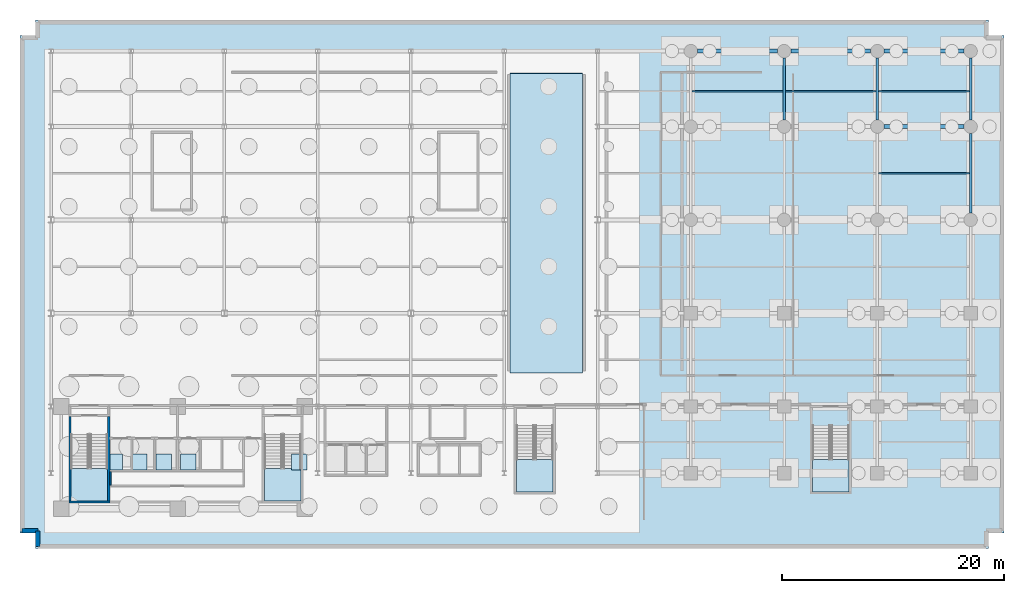
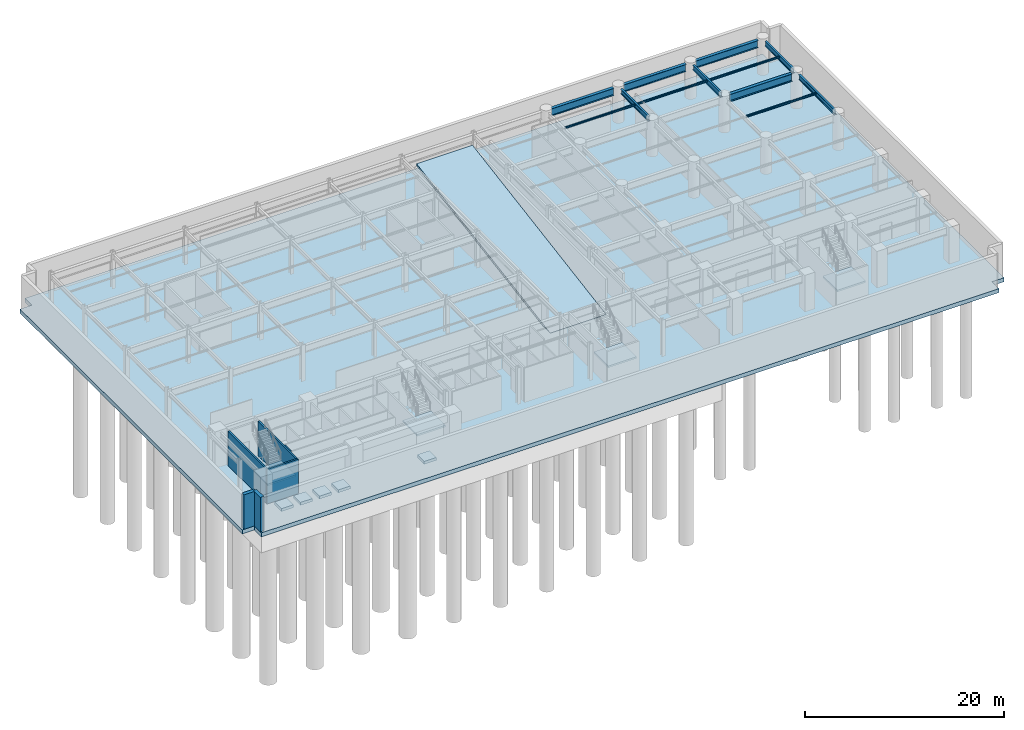
# One storey, part 7 of 14: 12 beams, 11 slabs, 6 walls, 4 elements without a shape of their own.
"""IFC4 building model written with IfcOpenShell, lengths in metres."""

from ifc_helpers import new_model, si_unit, direction, frame, frame_2d, origin, origin_2d, place, context, subcontext, project, spatial, polyline, rectangle, i_section, outline, extrude, material, layer, layer_set, material_profile, profile_set, type_object, element, aggregate, save


model = new_model("IFC4")

# Units and contexts
model_context = context("Model", 3, precision=1e-05, world=origin(), true_north=direction((0.0, 1.0)))
body_context = subcontext(model_context, "Body", "Model", "MODEL_VIEW")
ifc_project = project(units=[si_unit("LENGTHUNIT", "METRE"), si_unit("AREAUNIT", "SQUARE_METRE"), si_unit("VOLUMEUNIT", "CUBIC_METRE"), si_unit("PLANEANGLEUNIT", "RADIAN"), si_unit("MASSUNIT", "GRAM", prefix="KILO")], contexts=[model_context])

# Site, building, storey
site_placement = place(None, origin())
site = spatial("IfcSite", under=ifc_project, at=site_placement, CompositionType="ELEMENT")
building_placement = place(site_placement, origin())
building = spatial("IfcBuilding", under=site, at=building_placement, Name="Varnakote Quay Hospital", CompositionType="ELEMENT")
storey_placement = place(building_placement, frame((0.0, 0.0, -9.0)))
storey = spatial("IfcBuildingStorey", under=building, at=storey_placement, Name="B02", CompositionType="ELEMENT", Elevation=-9.0)

# Beams
ifc_material_1 = material(Name="Structural steel AS/NZS 3679.1 Grade 350 L0 (fy 340 MPa)", Category="steel")
ifc_material_profile_1 = material_profile(ifc_material_1, i_section(OverallWidth=0.22802734375, OverallDepth=0.60205078125, WebThickness=0.010498046875, FlangeThickness=0.014892578125, FilletRadius=0.013916015625, at=origin_2d()), Name="610UB101")
ifc_profile_set_1 = profile_set([ifc_material_profile_1], Name="Structural steel AS/NZS 3679.1 Grade 350 L0 (fy 340 MPa)")
beam_type_1 = type_object("IfcBeamType", Name="BM-STL-610UB101", PredefinedType="BEAM", material=ifc_profile_set_1)
for number, where, z_axis, x_axis, name in (
    (1, (67.199951171875, 37.800048828125, 3.93896484375), (0.0, 1.0, 0.0), (-1.0, 0.0, 0.0), "B02 Primary Tie Beam"),
    (2, (75.60009765625, 37.800048828125, 3.93896484375), (0.0, 1.0, 0.0), (-1.0, 0.0, 0.0), "B02 Primary Tie Beam"),
):
    element("IfcBeam", number, at=place(storey_placement, frame(where, z_axis=z_axis, x_axis=x_axis)), inside=storey, type_object=beam_type_1, Name=name, PredefinedType="BEAM", context=body_context, shape_type="SweptSolid", body=[
        extrude(i_section(OverallWidth=0.22802734375, OverallDepth=0.60205078125, WebThickness=0.010498046875, FlangeThickness=0.014892578125, FilletRadius=0.013916015625, at=origin_2d()), origin(), (0.0, 0.0, 1.0), 5.599853515625),
    ])
beam_1_placement = place(storey_placement, frame((84.0, 29.39990234375, 3.93896484375), z_axis=(0.0, 1.0, 0.0), x_axis=(-1.0, 0.0, 0.0)))
element("IfcBeam", 3, at=beam_1_placement, inside=storey, type_object=beam_type_1, Name="B02 Primary Tie Beam", PredefinedType="BEAM", context=body_context, shape_type="SweptSolid", body=[
    extrude(i_section(OverallWidth=0.22802734375, OverallDepth=0.60205078125, WebThickness=0.010498046875, FlangeThickness=0.014892578125, FilletRadius=0.013916015625, at=origin_2d()), origin(), (0.0, 0.0, 1.0), 7.2001953125),
])
beam_2_placement = place(storey_placement, frame((84.0, 37.800048828125, 3.93896484375), z_axis=(0.0, 1.0, 0.0), x_axis=(-1.0, 0.0, 0.0)))
element("IfcBeam", 4, at=beam_2_placement, inside=storey, type_object=beam_type_1, Name="B02 Primary Tie Beam", PredefinedType="BEAM", context=body_context, shape_type="SweptSolid", body=[
    extrude(i_section(OverallWidth=0.22802734375, OverallDepth=0.60205078125, WebThickness=0.010498046875, FlangeThickness=0.014892578125, FilletRadius=0.013916015625, at=origin_2d()), origin(), (0.0, 0.0, 1.0), 5.599853515625),
])
ifc_material_2 = material(Name="Structural steel AS/NZS 3678 Grade 350 (fy 340 MPa)", Category="steel")
ifc_material_profile_2 = material_profile(ifc_material_2, i_section(OverallWidth=0.35009765625, OverallDepth=0.909912109375, WebThickness=0.011962890625, FlangeThickness=0.02490234375, at=origin_2d()), Name="900WB218")
ifc_profile_set_2 = profile_set([ifc_material_profile_2], Name="Structural steel AS/NZS 3678 Grade 350 (fy 340 MPa)")
beam_type_2 = type_object("IfcBeamType", Name="BM-STL-900WB218", PredefinedType="BEAM", material=ifc_profile_set_2)
beam_3_placement = place(storey_placement, frame((76.199951171875, 37.199951171875, 3.784912109375), z_axis=(1.0, 0.0, 0.0), x_axis=(0.0, 1.0, 0.0)))
element("IfcBeam", 5, at=beam_3_placement, inside=storey, type_object=beam_type_2, Name="B02 Primary Floor Beam", PredefinedType="BEAM", context=body_context, shape_type="SweptSolid", body=[
    extrude(i_section(OverallWidth=0.35009765625, OverallDepth=0.909912109375, WebThickness=0.011962890625, FlangeThickness=0.02490234375, at=origin_2d()), origin(), (0.0, 0.0, 1.0), 7.199951171875),
])
beam_4_placement = place(storey_placement, frame((59.39990234375, 44.0, 3.784912109375), z_axis=(1.0, 0.0, 0.0), x_axis=(0.0, 1.0, 0.0)))
element("IfcBeam", 6, at=beam_4_placement, inside=storey, type_object=beam_type_2, Name="B02 Primary Floor Beam", PredefinedType="BEAM", context=body_context, shape_type="SweptSolid", body=[
    extrude(i_section(OverallWidth=0.35009765625, OverallDepth=0.909912109375, WebThickness=0.011962890625, FlangeThickness=0.02490234375, at=origin_2d()), origin(), (0.0, 0.0, 1.0), 7.2001953125),
])
for number, where, z_axis, x_axis, name in (
    (7, (67.800048828125, 44.0, 3.784912109375), (1.0, 0.0, 0.0), (0.0, 1.0, 0.0), "B02 Primary Floor Beam"),
    (8, (76.199951171875, 44.0, 3.784912109375), (1.0, 0.0, 0.0), (0.0, 1.0, 0.0), "B02 Primary Floor Beam"),
):
    element("IfcBeam", number, at=place(storey_placement, frame(where, z_axis=z_axis, x_axis=x_axis)), inside=storey, type_object=beam_type_2, Name=name, PredefinedType="BEAM", context=body_context, shape_type="SweptSolid", body=[
        extrude(i_section(OverallWidth=0.35009765625, OverallDepth=0.909912109375, WebThickness=0.011962890625, FlangeThickness=0.02490234375, at=origin_2d()), origin(), (0.0, 0.0, 1.0), 7.199951171875),
    ])
ifc_material_3 = material(Name="Structural steel AS/NZS 3679.1 Grade 350 L0 (fy 340 MPa)", Category="steel")
ifc_material_profile_3 = material_profile(ifc_material_3, i_section(OverallWidth=0.134033203125, OverallDepth=0.20703125, WebThickness=0.00634765625, FlangeThickness=0.009521484375, FilletRadius=0.0087890625, at=origin_2d()), Name="200UB29.8")
ifc_profile_set_3 = profile_set([ifc_material_profile_3], Name="Structural steel AS/NZS 3679.1 Grade 350 L0 (fy 340 MPa)")
beam_type_3 = type_object("IfcBeamType", Name="JST-STL-200UB29-8", PredefinedType="JOIST", material=ifc_profile_set_3)
for number, where, z_axis, x_axis, name in (
    (9, (75.714111328125, 33.0, 4.136474609375), (1.0, 0.0, 0.0), (0.0, 1.0, 0.0), "B02 Composite Floor Joist"),
    (10, (58.9140625, 40.39990234375, 4.136474609375), (1.0, 0.0, 0.0), (0.0, 1.0, 0.0), "B02 Composite Floor Joist"),
):
    element("IfcBeam", number, at=place(storey_placement, frame(where, z_axis=z_axis, x_axis=x_axis)), inside=storey, type_object=beam_type_3, Name=name, PredefinedType="JOIST", context=body_context, shape_type="SweptSolid", body=[
        extrude(i_section(OverallWidth=0.134033203125, OverallDepth=0.20703125, WebThickness=0.00634765625, FlangeThickness=0.009521484375, FilletRadius=0.0087890625, at=origin_2d()), origin(), (0.0, 0.0, 1.0), 8.171875),
    ])
beam_5_placement = place(storey_placement, frame((67.31396484375, 40.39990234375, 4.136474609375), z_axis=(1.0, 0.0, 0.0), x_axis=(0.0, 1.0, 0.0)))
element("IfcBeam", 11, at=beam_5_placement, inside=storey, type_object=beam_type_3, Name="B02 Composite Floor Joist", PredefinedType="JOIST", context=body_context, shape_type="SweptSolid", body=[
    extrude(i_section(OverallWidth=0.134033203125, OverallDepth=0.20703125, WebThickness=0.00634765625, FlangeThickness=0.009521484375, FilletRadius=0.0087890625, at=origin_2d()), origin(), (0.0, 0.0, 1.0), 8.172119140625),
])
beam_6_placement = place(storey_placement, frame((75.714111328125, 40.39990234375, 4.136474609375), z_axis=(1.0, 0.0, 0.0), x_axis=(0.0, 1.0, 0.0)))
element("IfcBeam", 12, at=beam_6_placement, inside=storey, type_object=beam_type_3, Name="B02 Composite Floor Joist", PredefinedType="JOIST", context=body_context, shape_type="SweptSolid", body=[
    extrude(i_section(OverallWidth=0.134033203125, OverallDepth=0.20703125, WebThickness=0.00634765625, FlangeThickness=0.009521484375, FilletRadius=0.0087890625, at=origin_2d()), origin(), (0.0, 0.0, 1.0), 8.171875),
])

# Slabs
ifc_material_4 = material(Name="Concrete N50 (f'c 50 MPa)", Category="concrete")
ifc_layer_1 = layer(ifc_material_4, 0.5)
ifc_layer_set_1 = layer_set([ifc_layer_1], Name="Concrete N50 (f'c 50 MPa)")
slab_type_1 = type_object("IfcSlabType", Name="SLB-BASE-500", PredefinedType="BASESLAB", material=ifc_layer_set_1)
slab_1_placement = place(storey_placement, frame((0.0, 0.0, -0.5)))
element("IfcSlab", 13, at=slab_1_placement, inside=storey, type_object=slab_type_1, Name="B02 Primary Base Slab", PredefinedType="BASESLAB", context=body_context, shape_type="SweptSolid", body=[
    extrude(outline(polyline([(-1.60009765625, 0.60009765625), (-0.199951171875, 0.60009765625), (-0.199951171875, -0.800048828125), (85.60009765625, -0.800048828125), (85.60009765625, 0.60009765625), (87.0, 0.60009765625), (87.0, 45.39990234375), (85.60009765625, 45.39990234375), (85.60009765625, 46.800048828125), (-0.199951171875, 46.800048828125), (-0.199951171875, 45.39990234375), (-1.60009765625, 45.39990234375), (-1.60009765625, 0.60009765625)])), origin(), (0.0, 0.0, 1.0), 0.5),
])
ifc_material_5 = material(Name="Concrete N40 (f'c 40 MPa)", Category="concrete")
ifc_layer_2 = layer(ifc_material_5, 0.260009765625)
ifc_layer_set_2 = layer_set([ifc_layer_2], Name="Concrete N40 (f'c 40 MPa)")
slab_type_2 = type_object("IfcSlabType", Name="SLB-RAMP-N40-260", PredefinedType="FLOOR", material=ifc_layer_set_2)
slab_2_placement = place(storey_placement, frame((42.5400390625, 15.030029296875, 0.0), z_axis=(0.0, -0.164755552665, 0.986334430032), x_axis=(1.0, 0.0, 0.0)))
element("IfcSlab", 14, at=slab_2_placement, inside=storey, type_object=slab_type_2, Name="Car Park Vehicle Ramp R1 Structural Slab", PredefinedType="FLOOR", context=body_context, shape_type="SweptSolid", body=[
    extrude(outline(polyline([(0.0, 0.0), (6.52001953125, 0.0), (6.52001953125, 27.313191739014748), (0.0, 27.313191739014748), (0.0, 0.0)])), origin(), (0.0, 0.0, -1.0), 0.260009765625),
])

# Stair, slab
ifc_material_6 = material(Name="Concrete N40 (f'c 40 MPa)", Category="concrete")
stair_type = type_object("IfcStairType", Name="STR-CORE-1580", PredefinedType="HALF_TURN_STAIR", material=ifc_material_6)
stair_1_placement = place(storey_placement, origin())
stair_1 = element("IfcStair", 15, at=stair_1_placement, inside=storey, type_object=stair_type, Name="B02 Fire-Isolated Exit Stair ST-01", PredefinedType="HALF_TURN_STAIR")
ifc_material_7 = material(Name="Concrete N40 (f'c 40 MPa)", Category="concrete")
ifc_layer_3 = layer(ifc_material_7, 0.199951171875)
ifc_layer_set_3 = layer_set([ifc_layer_3], Name="Concrete N40 (f'c 40 MPa)")
slab_type_3 = type_object("IfcSlabType", Name="SLB-STAIR-LND-200", PredefinedType="LANDING", material=ifc_layer_set_3)
slab_3_placement = place(storey_placement, frame((0.0, 0.0, 2.050048828125)))
slab_3 = element("IfcSlab", 16, at=slab_3_placement, type_object=slab_type_3, Name="ST-01 landing 1", PredefinedType="LANDING", context=body_context, shape_type="SweptSolid", body=[
    extrude(outline(polyline([(3.0, 6.419921875), (3.0, 3.5), (6.300048828125, 3.5), (6.300048828125, 6.419921875), (3.0, 6.419921875)])), origin(), (0.0, 0.0, 1.0), 0.199951171875),
])
aggregate(stair_1, [slab_3])

stair_2_placement = place(storey_placement, origin())
stair_2 = element("IfcStair", 17, at=stair_2_placement, inside=storey, type_object=stair_type, Name="B02 Fire-Isolated Exit Stair ST-02", PredefinedType="HALF_TURN_STAIR")
slab_4_placement = place(storey_placement, frame((0.0, 0.0, 2.050048828125)))
slab_4 = element("IfcSlab", 18, at=slab_4_placement, type_object=slab_type_3, Name="ST-02 landing 1", PredefinedType="LANDING", context=body_context, shape_type="SweptSolid", body=[
    extrude(outline(polyline([(20.39990234375, 6.419921875), (20.39990234375, 3.5), (23.699951171875, 3.5), (23.699951171875, 6.419921875), (20.39990234375, 6.419921875)])), origin(), (0.0, 0.0, 1.0), 0.199951171875),
])
aggregate(stair_2, [slab_4])

stair_3_placement = place(storey_placement, origin())
stair_3 = element("IfcStair", 19, at=stair_3_placement, inside=storey, type_object=stair_type, Name="B02 Fire-Isolated Exit Stair ST-03", PredefinedType="HALF_TURN_STAIR")
slab_5_placement = place(storey_placement, frame((0.0, 0.0, 2.050048828125)))
slab_5 = element("IfcSlab", 20, at=slab_5_placement, type_object=slab_type_3, Name="ST-03 landing 1", PredefinedType="LANDING", context=body_context, shape_type="SweptSolid", body=[
    extrude(outline(polyline([(43.10009765625, 7.219970703125), (43.10009765625, 4.300048828125), (46.39990234375, 4.300048828125), (46.39990234375, 7.219970703125), (43.10009765625, 7.219970703125)])), origin(), (0.0, 0.0, 1.0), 0.199951171875),
])
aggregate(stair_3, [slab_5])

stair_4_placement = place(storey_placement, origin())
stair_4 = element("IfcStair", 21, at=stair_4_placement, inside=storey, type_object=stair_type, Name="B02 East Podium Fire-Isolated Exit Stair ST-06", PredefinedType="HALF_TURN_STAIR")
slab_6_placement = place(storey_placement, frame((0.0, 0.0, 2.050048828125)))
slab_6 = element("IfcSlab", 22, at=slab_6_placement, type_object=slab_type_3, Name="ST-06 landing 1", PredefinedType="LANDING", context=body_context, shape_type="SweptSolid", body=[
    extrude(outline(polyline([(69.75, 7.219970703125), (69.75, 4.300048828125), (73.050048828125, 4.300048828125), (73.050048828125, 7.219970703125), (69.75, 7.219970703125)])), origin(), (0.0, 0.0, 1.0), 0.199951171875),
])
aggregate(stair_4, [slab_6])

# Slabs
ifc_material_8 = material(Name="Concrete N50 (f'c 50 MPa)", Category="concrete")
ifc_layer_4 = layer(ifc_material_8, 0.35009765625)
ifc_layer_set_4 = layer_set([ifc_layer_4], Name="Concrete N50 (f'c 50 MPa)")
slab_type_4 = type_object("IfcSlabType", Name="SLB-SUMP-350", PredefinedType="BASESLAB", material=ifc_layer_set_4)
slab_7_placement = place(storey_placement, frame((0.0, 0.0, -3.949951171875)))
element("IfcSlab", 23, at=slab_7_placement, inside=storey, type_object=slab_type_4, Name="Lift Pit Base Slab Sump SMP-01", PredefinedType="BASESLAB", context=body_context, shape_type="SweptSolid", body=[
    extrude(outline(polyline([(6.25, 6.300048828125), (7.64990234375, 6.300048828125), (7.64990234375, 7.699951171875), (6.25, 7.699951171875), (6.25, 6.300048828125)])), origin(), (0.0, 0.0, 1.0), 0.349853515625),
])
slab_8_placement = place(storey_placement, frame((0.0, 0.0, -3.949951171875)))
element("IfcSlab", 24, at=slab_8_placement, inside=storey, type_object=slab_type_4, Name="Lift Pit Base Slab Sump SMP-02", PredefinedType="BASESLAB", context=body_context, shape_type="SweptSolid", body=[
    extrude(outline(polyline([(8.449951171875, 6.300048828125), (9.85009765625, 6.300048828125), (9.85009765625, 7.699951171875), (8.449951171875, 7.699951171875), (8.449951171875, 6.300048828125)])), origin(), (0.0, 0.0, 1.0), 0.349853515625),
])
slab_9_placement = place(storey_placement, frame((0.0, 0.0, -3.949951171875)))
element("IfcSlab", 25, at=slab_9_placement, inside=storey, type_object=slab_type_4, Name="Lift Pit Base Slab Sump SMP-03", PredefinedType="BASESLAB", context=body_context, shape_type="SweptSolid", body=[
    extrude(outline(polyline([(10.64990234375, 6.300048828125), (12.050048828125, 6.300048828125), (12.050048828125, 7.699951171875), (10.64990234375, 7.699951171875), (10.64990234375, 6.300048828125)])), origin(), (0.0, 0.0, 1.0), 0.349853515625),
])
slab_10_placement = place(storey_placement, frame((0.0, 0.0, -3.949951171875)))
element("IfcSlab", 26, at=slab_10_placement, inside=storey, type_object=slab_type_4, Name="Lift Pit Base Slab Sump SMP-04", PredefinedType="BASESLAB", context=body_context, shape_type="SweptSolid", body=[
    extrude(outline(polyline([(12.85009765625, 6.300048828125), (14.25, 6.300048828125), (14.25, 7.699951171875), (12.85009765625, 7.699951171875), (12.85009765625, 6.300048828125)])), origin(), (0.0, 0.0, 1.0), 0.349853515625),
])
slab_11_placement = place(storey_placement, frame((0.0, 0.0, -3.949951171875)))
element("IfcSlab", 27, at=slab_11_placement, inside=storey, type_object=slab_type_4, Name="Lift Pit Base Slab Sump SMP-05", PredefinedType="BASESLAB", context=body_context, shape_type="SweptSolid", body=[
    extrude(outline(polyline([(22.85009765625, 6.300048828125), (24.25, 6.300048828125), (24.25, 7.699951171875), (22.85009765625, 7.699951171875), (22.85009765625, 6.300048828125)])), origin(), (0.0, 0.0, 1.0), 0.349853515625),
])

# Walls
ifc_material_9 = material(Name="Concrete N40 (f'c 40 MPa)", Category="concrete")
ifc_layer_5 = layer(ifc_material_9, 0.39990234375)
ifc_layer_set_5 = layer_set([ifc_layer_5], Name="Concrete N40 (f'c 40 MPa)")
wall_type_1 = type_object("IfcWallType", Name="WL-BSMT-RET-400", PredefinedType="STANDARD", material=ifc_layer_set_5)
wall_1_placement = place(storey_placement, frame((0.0, 0.800048828125, 0.0), z_axis=(0.0, 0.0, 1.0), x_axis=(0.0, -1.0, 0.0)))
element("IfcWall", 28, at=wall_1_placement, inside=storey, type_object=wall_type_1, Name="B02 Tanked Basement Retaining Wall", PredefinedType="STANDARD", context=body_context, shape_type="SweptSolid", body=[
    extrude(rectangle(XDim=1.400146484375, YDim=0.39990234375, at=frame_2d((0.7001953125, 0.0))), origin(), (0.0, 0.0, 1.0), 4.239990234375),
])
wall_2_placement = place(storey_placement, frame((-1.39990234375, 0.800048828125, 0.0), z_axis=(0.0, 0.0, 1.0), x_axis=(1.0, 0.0, 0.0)))
element("IfcWall", 29, at=wall_2_placement, inside=storey, type_object=wall_type_1, Name="B02 Tanked Basement Retaining Wall", PredefinedType="STANDARD", context=body_context, shape_type="SweptSolid", body=[
    extrude(rectangle(XDim=1.39990234375, YDim=0.39990234375, at=frame_2d((0.699951171875, 0.0))), origin(), (0.0, 0.0, 1.0), 4.239990234375),
])
ifc_material_10 = material(Name="Concrete N50 (f'c 50 MPa)", Category="concrete")
ifc_layer_6 = layer(ifc_material_10, 0.199951171875)
ifc_layer_set_6 = layer_set([ifc_layer_6], Name="Concrete N50 (f'c 50 MPa)")
wall_type_2 = type_object("IfcWallType", Name="WL-SHAFT-N50-200", PredefinedType="SHEAR", material=ifc_layer_set_6)
wall_3_placement = place(storey_placement, frame((2.800048828125, 3.39990234375, 0.0), z_axis=(0.0, 0.0, 1.0), x_axis=(1.0, 0.0, 0.0)))
element("IfcWall", 30, at=wall_3_placement, inside=storey, type_object=wall_type_2, Name="B02 Stair ST1 South Shaft Wall", PredefinedType="SHEAR", context=body_context, shape_type="SweptSolid", body=[
    extrude(rectangle(XDim=3.699951171875, YDim=0.199951171875, at=frame_2d((1.85009765625, 0.0))), origin(), (0.0, 0.0, 1.0), 4.239990234375),
])
for number, where, z_axis, x_axis, name in (
    (31, (2.89990234375, 3.5, 0.0), (0.0, 0.0, 1.0), (0.0, 1.0, 0.0), "B02 Stair ST1 West Shaft Wall"),
    (32, (6.39990234375, 3.5, 0.0), (0.0, 0.0, 1.0), (0.0, 1.0, 0.0), "B02 Stair ST1 East Shaft Wall"),
):
    element("IfcWall", number, at=place(storey_placement, frame(where, z_axis=z_axis, x_axis=x_axis)), inside=storey, type_object=wall_type_2, Name=name, PredefinedType="SHEAR", context=body_context, shape_type="SweptSolid", body=[
        extrude(rectangle(XDim=7.60009765625, YDim=0.199951171875, at=frame_2d((3.800048828125, 0.0))), origin(), (0.0, 0.0, 1.0), 4.239990234375),
    ])
ifc_material_11 = material(Name="Smoke-proof clinical partition", Category="gypsum")
ifc_layer_7 = layer(ifc_material_11, 0.1201171875)
ifc_layer_set_7 = layer_set([ifc_layer_7], Name="Smoke-proof clinical partition")
wall_type_3 = type_object("IfcWallType", Name="WL-SMOKE-120", PredefinedType="PARTITIONING", material=ifc_layer_set_7)
wall_4_placement = place(storey_placement, frame((6.56005859375, 4.919921875, 0.0), z_axis=(0.0, 0.0, 1.0), x_axis=(0.0, 1.0, 0.0)))
element("IfcWall", 33, at=wall_4_placement, inside=storey, type_object=wall_type_3, Name="B02 Core Service Strip West Wall", PredefinedType="PARTITIONING", context=body_context, shape_type="SweptSolid", body=[
    extrude(rectangle(XDim=1.219970703125, YDim=0.1201171875, at=frame_2d((0.60986328125, 0.0))), origin(), (0.0, 0.0, 1.0), 4.239990234375),
])

save(model, "model.ifc")
